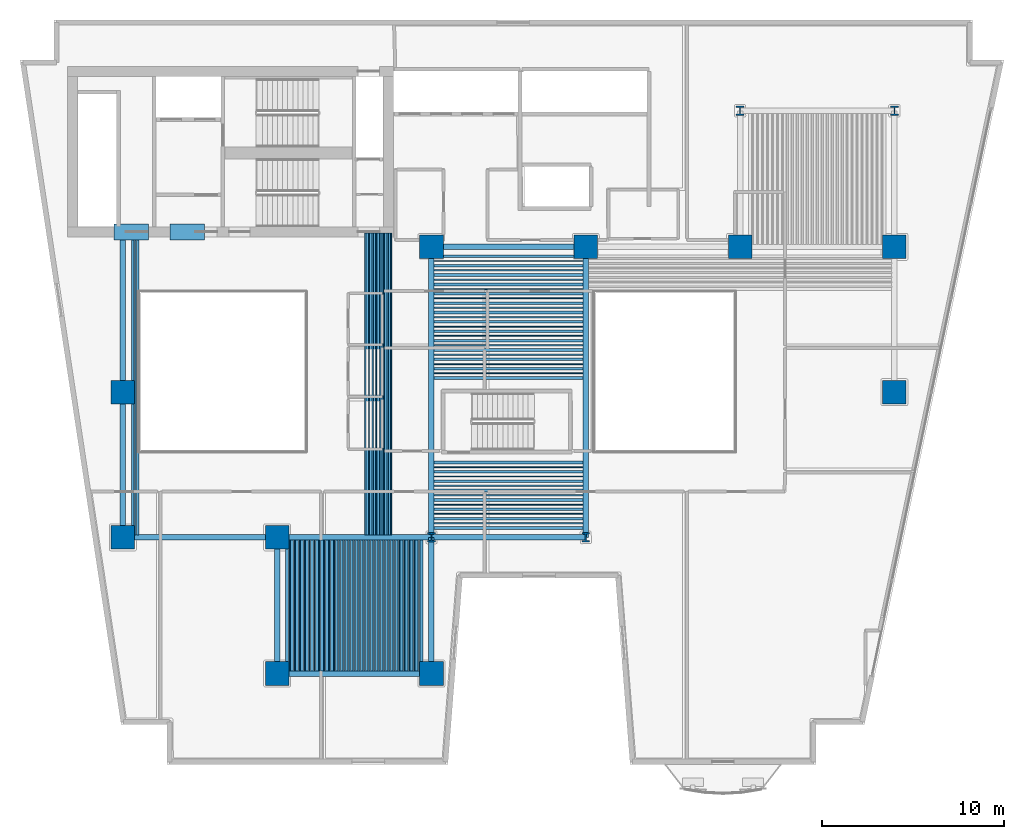
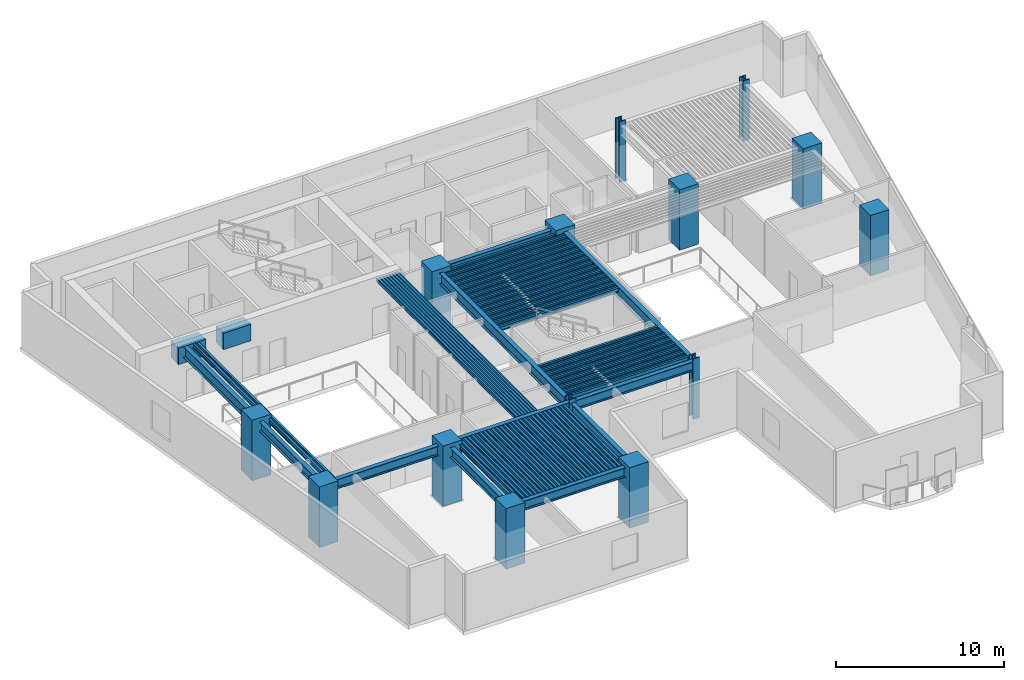
# One storey, part 1 of 12: 128 beams, 14 columns.
"""IFC4 building model written with IfcOpenShell, lengths in metres."""

from ifc_helpers import new_model, si_unit, direction, frame, origin, origin_2d, place, context, subcontext, project, spatial, rectangle, hollow_rectangle, i_section, extrude, material, material_profile, profile_set, type_object, element, save


model = new_model("IFC4")

# Units and contexts
model_context = context("Model", 3, precision=1e-05, world=origin(), true_north=direction((0.0, 1.0)))
body_context = subcontext(model_context, "Body", "Model", "MODEL_VIEW")
ifc_project = project(units=[si_unit("LENGTHUNIT", "METRE"), si_unit("AREAUNIT", "SQUARE_METRE"), si_unit("VOLUMEUNIT", "CUBIC_METRE"), si_unit("PLANEANGLEUNIT", "RADIAN"), si_unit("MASSUNIT", "GRAM", prefix="KILO")], contexts=[model_context])

# Site, building, storey
site_placement = place(None, origin())
site = spatial("IfcSite", under=ifc_project, at=site_placement, CompositionType="ELEMENT")
building_placement = place(site_placement, origin())
building = spatial("IfcBuilding", under=site, at=building_placement, Name="Caeloran Harvest Quay", CompositionType="ELEMENT")
storey_placement = place(building_placement, frame((0.0, 0.0, 88.60009765625)))
storey = spatial("IfcBuildingStorey", under=building, at=storey_placement, Name="L20", CompositionType="ELEMENT", Elevation=88.60009765625)

# Columns
ifc_material_1 = material(Name="Concrete C80/95", Category="concrete")
ifc_material_profile_1 = material_profile(ifc_material_1, rectangle(XDim=1.300048828125, YDim=1.300048828125, at=origin_2d()), Name="RC 1300x1300")
ifc_profile_set_1 = profile_set([ifc_material_profile_1], Name="Concrete C80/95")
column_type_1 = type_object("IfcColumnType", Name="COL-MC-2-RC_1300x1300", PredefinedType="COLUMN", material=ifc_profile_set_1)
for number, where, z_axis, x_axis, name in (
    (1, (8.5, 15.0, 0.0), (0.0, 0.0, 1.0), (1.0, 0.0, 0.0), "L20 Structural Column (8.5, 15.0)"),
    (2, (8.5, 23.0, 0.0), (0.0, 0.0, 1.0), (1.0, 0.0, 0.0), "L20 Structural Column (8.5, 23.0)"),
    (3, (17.0, 7.5, 0.0), (0.0, 0.0, 1.0), (1.0, 0.0, 0.0), "L20 Structural Column (17.0, 7.5)"),
    (4, (17.0, 15.0, 0.0), (0.0, 0.0, 1.0), (1.0, 0.0, 0.0), "L20 Structural Column (17.0, 15.0)"),
    (5, (25.5, 7.5, 0.0), (0.0, 0.0, 1.0), (1.0, 0.0, 0.0), "L20 Structural Column (25.5, 7.5)"),
    (6, (25.5, 31.0, 0.0), (0.0, 0.0, 1.0), (1.0, 0.0, 0.0), "L20 Structural Column (25.5, 31.0)"),
    (7, (34.0, 31.0, 0.0), (0.0, 0.0, 1.0), (1.0, 0.0, 0.0), "L20 Structural Column (34.0, 31.0)"),
    (8, (42.5, 31.0, 0.0), (0.0, 0.0, 1.0), (1.0, 0.0, 0.0), "L20 Structural Column (42.5, 31.0)"),
    (9, (51.0, 23.0, 0.0), (0.0, 0.0, 1.0), (1.0, 0.0, 0.0), "L20 Structural Column (51.0, 23.0)"),
    (10, (51.0, 31.0, 0.0), (0.0, 0.0, 1.0), (1.0, 0.0, 0.0), "L20 Structural Column (51.0, 31.0)"),
):
    element("IfcColumn", number, at=place(storey_placement, frame(where, z_axis=z_axis, x_axis=x_axis)), inside=storey, type_object=column_type_1, Name=name, PredefinedType="COLUMN", context=body_context, shape_type="SweptSolid", body=[
        extrude(rectangle(XDim=1.300048828125, YDim=1.300048828125, at=origin_2d()), origin(), (0.0, 0.0, 1.0), 4.39990234375),
    ])
ifc_material_2 = material(Name="Steel HISTAR 460", Category="steel")
ifc_material_profile_2 = material_profile(ifc_material_2, i_section(OverallWidth=0.43701171875, OverallDepth=0.513916015625, WebThickness=0.060546875, FlangeThickness=0.076904296875, FilletRadius=0.014892578125, at=origin_2d()), Name="HD 400x818")
ifc_profile_set_2 = profile_set([ifc_material_profile_2], Name="Steel HISTAR 460")
column_type_2 = type_object("IfcColumnType", Name="COL-SC-2-HD_400x818", PredefinedType="COLUMN", material=ifc_profile_set_2)
for number, where, z_axis, x_axis, name in (
    (11, (25.5, 15.0, 0.0), (0.0, 0.0, 1.0), (1.0, 0.0, 0.0), "L20 Structural Column (25.5, 15.0)"),
    (12, (34.0, 15.0, 0.0), (0.0, 0.0, 1.0), (1.0, 0.0, 0.0), "L20 Structural Column (34.0, 15.0)"),
    (13, (42.5, 38.5, 0.0), (0.0, 0.0, 1.0), (1.0, 0.0, 0.0), "L20 Structural Column (42.5, 38.5)"),
    (14, (51.0, 38.5, 0.0), (0.0, 0.0, 1.0), (1.0, 0.0, 0.0), "L20 Structural Column (51.0, 38.5)"),
):
    element("IfcColumn", number, at=place(storey_placement, frame(where, z_axis=z_axis, x_axis=x_axis)), inside=storey, type_object=column_type_2, Name=name, PredefinedType="COLUMN", context=body_context, shape_type="SweptSolid", body=[
        extrude(i_section(OverallWidth=0.43701171875, OverallDepth=0.513916015625, WebThickness=0.060546875, FlangeThickness=0.076904296875, FilletRadius=0.014892578125, at=origin_2d()), origin(), (0.0, 0.0, 1.0), 4.39990234375),
    ])

# Beams
ifc_material_profile_3 = material_profile(ifc_material_1, rectangle(XDim=0.89990234375, YDim=1.199951171875, at=origin_2d()), Name="RC 900x1200")
ifc_profile_set_3 = profile_set([ifc_material_profile_3], Name="Concrete C80/95")
beam_type_1 = type_object("IfcBeamType", Name="BM-CB-1-RC_900x1200", PredefinedType="LINTEL", material=ifc_profile_set_3)
for number, where, z_axis, x_axis, name in (
    (15, (8.0, 31.824951171875, 3.514892578125), (1.0, 0.0, 0.0), (0.0, 1.0, 0.0), "L20 Core Coupling Beam 1"),
    (16, (11.10009765625, 31.824951171875, 3.514892578125), (1.0, 0.0, 0.0), (0.0, 1.0, 0.0), "L20 Core Coupling Beam 2"),
):
    element("IfcBeam", number, at=place(storey_placement, frame(where, z_axis=z_axis, x_axis=x_axis)), inside=storey, type_object=beam_type_1, Name=name, PredefinedType="LINTEL", context=body_context, shape_type="SweptSolid", body=[
        extrude(rectangle(XDim=0.89990234375, YDim=1.199951171875, at=origin_2d()), origin(), (0.0, 0.0, 1.0), 1.89990234375),
    ])
ifc_material_3 = material(Name="Steel S355J2", Category="steel")
ifc_material_profile_4 = material_profile(ifc_material_3, i_section(OverallWidth=0.300048828125, OverallDepth=0.800048828125, WebThickness=0.017578125, FlangeThickness=0.032958984375, FilletRadius=0.030029296875, at=origin_2d()), Name="HE 800 B")
ifc_profile_set_4 = profile_set([ifc_material_profile_4], Name="Steel S355J2")
beam_type_2 = type_object("IfcBeamType", Name="BM-PG-1-HE_800_B", PredefinedType="BEAM", material=ifc_profile_set_4)
beam_1_placement = place(storey_placement, frame((8.5, 23.0, 3.71484375), z_axis=(0.0, 1.0, 0.0), x_axis=(-1.0, 0.0, 0.0)))
element("IfcBeam", 17, at=beam_1_placement, inside=storey, type_object=beam_type_2, Name="L20 Core South Tie Girder X=8.5", PredefinedType="BEAM", context=body_context, shape_type="SweptSolid", body=[
    extrude(i_section(OverallWidth=0.300048828125, OverallDepth=0.800048828125, WebThickness=0.017578125, FlangeThickness=0.032958984375, FilletRadius=0.030029296875, at=origin_2d()), origin(), (0.0, 0.0, 1.0), 8.77490234375),
])
for number, where, z_axis, x_axis, name in (
    (18, (25.5, 15.0, 3.71484375), (0.0, 1.0, 0.0), (-1.0, 0.0, 0.0), "L20 Primary North-South Girder X=25.5"),
    (19, (34.0, 15.0, 3.71484375), (0.0, 1.0, 0.0), (-1.0, 0.0, 0.0), "L20 Primary North-South Girder X=34.0"),
):
    element("IfcBeam", number, at=place(storey_placement, frame(where, z_axis=z_axis, x_axis=x_axis)), inside=storey, type_object=beam_type_2, Name=name, PredefinedType="BEAM", context=body_context, shape_type="SweptSolid", body=[
        extrude(i_section(OverallWidth=0.300048828125, OverallDepth=0.800048828125, WebThickness=0.017578125, FlangeThickness=0.032958984375, FilletRadius=0.030029296875, at=origin_2d()), origin(), (0.0, 0.0, 1.0), 16.0),
    ])
ifc_material_profile_5 = material_profile(ifc_material_3, i_section(OverallWidth=0.300048828125, OverallDepth=0.699951171875, WebThickness=0.01708984375, FlangeThickness=0.031982421875, FilletRadius=0.027099609375, at=origin_2d()), Name="HE 700 B")
ifc_profile_set_5 = profile_set([ifc_material_profile_5], Name="Steel S355J2")
beam_type_3 = type_object("IfcBeamType", Name="BM-PG-2-HE_700_B", PredefinedType="BEAM", material=ifc_profile_set_5)
for number, where, z_axis, x_axis, name in (
    (20, (17.0, 7.5, 3.764892578125), (1.0, 0.0, 0.0), (0.0, 1.0, 0.0), "L20 Primary East-West Girder Y=7.5"),
    (21, (8.5, 15.0, 3.764892578125), (1.0, 0.0, 0.0), (0.0, 1.0, 0.0), "L20 Primary East-West Girder Y=15.0"),
    (22, (17.0, 15.0, 3.764892578125), (1.0, 0.0, 0.0), (0.0, 1.0, 0.0), "L20 Primary East-West Girder Y=15.0"),
    (23, (25.5, 15.0, 3.764892578125), (1.0, 0.0, 0.0), (0.0, 1.0, 0.0), "L20 Primary East-West Girder Y=15.0"),
    (24, (25.5, 31.0, 3.764892578125), (1.0, 0.0, 0.0), (0.0, 1.0, 0.0), "L20 Primary East-West Girder Y=31.0"),
):
    element("IfcBeam", number, at=place(storey_placement, frame(where, z_axis=z_axis, x_axis=x_axis)), inside=storey, type_object=beam_type_3, Name=name, PredefinedType="BEAM", context=body_context, shape_type="SweptSolid", body=[
        extrude(i_section(OverallWidth=0.300048828125, OverallDepth=0.699951171875, WebThickness=0.01708984375, FlangeThickness=0.031982421875, FilletRadius=0.027099609375, at=origin_2d()), origin(), (0.0, 0.0, 1.0), 8.5),
    ])
beam_2_placement = place(storey_placement, frame((8.5, 15.0, 3.764892578125), z_axis=(0.0, 1.0, 0.0), x_axis=(-1.0, 0.0, 0.0)))
element("IfcBeam", 25, at=beam_2_placement, inside=storey, type_object=beam_type_3, Name="L20 Primary North-South Girder X=8.5", PredefinedType="BEAM", context=body_context, shape_type="SweptSolid", body=[
    extrude(i_section(OverallWidth=0.300048828125, OverallDepth=0.699951171875, WebThickness=0.01708984375, FlangeThickness=0.031982421875, FilletRadius=0.027099609375, at=origin_2d()), origin(), (0.0, 0.0, 1.0), 8.0),
])
for number, where, z_axis, x_axis, name in (
    (26, (17.0, 7.5, 3.764892578125), (0.0, 1.0, 0.0), (-1.0, 0.0, 0.0), "L20 Primary North-South Girder X=17.0"),
    (27, (25.5, 7.5, 3.764892578125), (0.0, 1.0, 0.0), (-1.0, 0.0, 0.0), "L20 Primary North-South Girder X=25.5"),
):
    element("IfcBeam", number, at=place(storey_placement, frame(where, z_axis=z_axis, x_axis=x_axis)), inside=storey, type_object=beam_type_3, Name=name, PredefinedType="BEAM", context=body_context, shape_type="SweptSolid", body=[
        extrude(i_section(OverallWidth=0.300048828125, OverallDepth=0.699951171875, WebThickness=0.01708984375, FlangeThickness=0.031982421875, FilletRadius=0.027099609375, at=origin_2d()), origin(), (0.0, 0.0, 1.0), 7.5),
    ])
ifc_material_profile_6 = material_profile(ifc_material_3, i_section(OverallWidth=0.14990234375, OverallDepth=0.300048828125, WebThickness=0.007080078125, FlangeThickness=0.0107421875, FilletRadius=0.014892578125, at=origin_2d()), Name="IPE 300")
ifc_profile_set_6 = profile_set([ifc_material_profile_6], Name="Steel S355J2")
beam_type_4 = type_object("IfcBeamType", Name="BM-SB-6-IPE_300", PredefinedType="JOIST", material=ifc_profile_set_6)
for number, where, z_axis, x_axis, name in (
    (28, (17.54833984375, 7.64501953125, 3.96484375), (0.0, 1.0, 0.0), (-1.0, 0.0, 0.0), "L20 Secondary Composite Joist"),
    (29, (17.822509765625, 7.64501953125, 3.96484375), (0.0, 1.0, 0.0), (-1.0, 0.0, 0.0), "L20 Secondary Composite Joist"),
    (30, (18.0966796875, 7.64501953125, 3.96484375), (0.0, 1.0, 0.0), (-1.0, 0.0, 0.0), "L20 Secondary Composite Joist"),
    (31, (18.37109375, 7.64501953125, 3.96484375), (0.0, 1.0, 0.0), (-1.0, 0.0, 0.0), "L20 Secondary Composite Joist"),
    (32, (18.645263671875, 7.64501953125, 3.96484375), (0.0, 1.0, 0.0), (-1.0, 0.0, 0.0), "L20 Secondary Composite Joist"),
    (33, (18.91943359375, 7.64501953125, 3.96484375), (0.0, 1.0, 0.0), (-1.0, 0.0, 0.0), "L20 Secondary Composite Joist"),
    (34, (19.193603515625, 7.64501953125, 3.96484375), (0.0, 1.0, 0.0), (-1.0, 0.0, 0.0), "L20 Secondary Composite Joist"),
    (35, (19.4677734375, 7.64501953125, 3.96484375), (0.0, 1.0, 0.0), (-1.0, 0.0, 0.0), "L20 Secondary Composite Joist"),
    (36, (19.741943359375, 7.64501953125, 3.96484375), (0.0, 1.0, 0.0), (-1.0, 0.0, 0.0), "L20 Secondary Composite Joist"),
    (37, (20.01611328125, 7.64501953125, 3.96484375), (0.0, 1.0, 0.0), (-1.0, 0.0, 0.0), "L20 Secondary Composite Joist"),
    (38, (20.290283203125, 7.64501953125, 3.96484375), (0.0, 1.0, 0.0), (-1.0, 0.0, 0.0), "L20 Secondary Composite Joist"),
    (39, (20.564453125, 7.64501953125, 3.96484375), (0.0, 1.0, 0.0), (-1.0, 0.0, 0.0), "L20 Secondary Composite Joist"),
    (40, (20.838623046875, 7.64501953125, 3.96484375), (0.0, 1.0, 0.0), (-1.0, 0.0, 0.0), "L20 Secondary Composite Joist"),
    (41, (21.11279296875, 7.64501953125, 3.96484375), (0.0, 1.0, 0.0), (-1.0, 0.0, 0.0), "L20 Secondary Composite Joist"),
    (42, (21.38720703125, 7.64501953125, 3.96484375), (0.0, 1.0, 0.0), (-1.0, 0.0, 0.0), "L20 Secondary Composite Joist"),
    (43, (21.661376953125, 7.64501953125, 3.96484375), (0.0, 1.0, 0.0), (-1.0, 0.0, 0.0), "L20 Secondary Composite Joist"),
    (44, (21.935546875, 7.64501953125, 3.96484375), (0.0, 1.0, 0.0), (-1.0, 0.0, 0.0), "L20 Secondary Composite Joist"),
    (45, (22.209716796875, 7.64501953125, 3.96484375), (0.0, 1.0, 0.0), (-1.0, 0.0, 0.0), "L20 Secondary Composite Joist"),
    (46, (22.48388671875, 7.64501953125, 3.96484375), (0.0, 1.0, 0.0), (-1.0, 0.0, 0.0), "L20 Secondary Composite Joist"),
    (47, (22.758056640625, 7.64501953125, 3.96484375), (0.0, 1.0, 0.0), (-1.0, 0.0, 0.0), "L20 Secondary Composite Joist"),
    (48, (23.0322265625, 7.64501953125, 3.96484375), (0.0, 1.0, 0.0), (-1.0, 0.0, 0.0), "L20 Secondary Composite Joist"),
    (49, (23.306396484375, 7.64501953125, 3.96484375), (0.0, 1.0, 0.0), (-1.0, 0.0, 0.0), "L20 Secondary Composite Joist"),
    (50, (23.58056640625, 7.64501953125, 3.96484375), (0.0, 1.0, 0.0), (-1.0, 0.0, 0.0), "L20 Secondary Composite Joist"),
    (51, (23.854736328125, 7.64501953125, 3.96484375), (0.0, 1.0, 0.0), (-1.0, 0.0, 0.0), "L20 Secondary Composite Joist"),
    (52, (24.12890625, 7.64501953125, 3.96484375), (0.0, 1.0, 0.0), (-1.0, 0.0, 0.0), "L20 Secondary Composite Joist"),
    (53, (24.4033203125, 7.64501953125, 3.96484375), (0.0, 1.0, 0.0), (-1.0, 0.0, 0.0), "L20 Secondary Composite Joist"),
    (54, (24.677490234375, 7.64501953125, 3.96484375), (0.0, 1.0, 0.0), (-1.0, 0.0, 0.0), "L20 Secondary Composite Joist"),
    (55, (24.95166015625, 7.64501953125, 3.96484375), (0.0, 1.0, 0.0), (-1.0, 0.0, 0.0), "L20 Secondary Composite Joist"),
):
    element("IfcBeam", number, at=place(storey_placement, frame(where, z_axis=z_axis, x_axis=x_axis)), inside=storey, type_object=beam_type_4, Name=name, PredefinedType="JOIST", context=body_context, shape_type="SweptSolid", body=[
        extrude(i_section(OverallWidth=0.14990234375, OverallDepth=0.300048828125, WebThickness=0.007080078125, FlangeThickness=0.0107421875, FilletRadius=0.014892578125, at=origin_2d()), origin(), (0.0, 0.0, 1.0), 7.2099609375),
    ])
for number, where, z_axis, x_axis, name in (
    (56, (9.04833984375, 15.14501953125, 3.96484375), (0.0, 1.0, 0.0), (-1.0, 0.0, 0.0), "L20 Secondary Composite Joist"),
    (57, (9.322509765625, 15.14501953125, 3.96484375), (0.0, 1.0, 0.0), (-1.0, 0.0, 0.0), "L20 Secondary Composite Joist"),
    (58, (21.954833984375, 15.14501953125, 3.96484375), (0.0, 1.0, 0.0), (-1.0, 0.0, 0.0), "L20 Secondary Composite Joist"),
    (59, (22.161376953125, 15.14501953125, 3.96484375), (0.0, 1.0, 0.0), (-1.0, 0.0, 0.0), "L20 Secondary Composite Joist"),
    (60, (22.36767578125, 15.14501953125, 3.96484375), (0.0, 1.0, 0.0), (-1.0, 0.0, 0.0), "L20 Secondary Composite Joist"),
    (61, (22.57421875, 15.14501953125, 3.96484375), (0.0, 1.0, 0.0), (-1.0, 0.0, 0.0), "L20 Secondary Composite Joist"),
    (62, (22.780517578125, 15.14501953125, 3.96484375), (0.0, 1.0, 0.0), (-1.0, 0.0, 0.0), "L20 Secondary Composite Joist"),
    (63, (22.987060546875, 15.14501953125, 3.96484375), (0.0, 1.0, 0.0), (-1.0, 0.0, 0.0), "L20 Secondary Composite Joist"),
    (64, (23.193603515625, 15.14501953125, 3.96484375), (0.0, 1.0, 0.0), (-1.0, 0.0, 0.0), "L20 Secondary Composite Joist"),
):
    element("IfcBeam", number, at=place(storey_placement, frame(where, z_axis=z_axis, x_axis=x_axis)), inside=storey, type_object=beam_type_4, Name=name, PredefinedType="JOIST", context=body_context, shape_type="SweptSolid", body=[
        extrude(i_section(OverallWidth=0.14990234375, OverallDepth=0.300048828125, WebThickness=0.007080078125, FlangeThickness=0.0107421875, FilletRadius=0.014892578125, at=origin_2d()), origin(), (0.0, 0.0, 1.0), 16.6298828125),
    ])
for number, where, z_axis, x_axis, name in (
    (65, (25.64501953125, 15.51611328125, 3.96484375), (1.0, 0.0, 0.0), (0.0, 1.0, 0.0), "L20 Secondary East-West Composite Joist"),
    (66, (25.64501953125, 16.0322265625, 3.96484375), (1.0, 0.0, 0.0), (0.0, 1.0, 0.0), "L20 Secondary East-West Composite Joist"),
    (67, (25.64501953125, 16.54833984375, 3.96484375), (1.0, 0.0, 0.0), (0.0, 1.0, 0.0), "L20 Secondary East-West Composite Joist"),
    (68, (25.64501953125, 17.064453125, 3.96484375), (1.0, 0.0, 0.0), (0.0, 1.0, 0.0), "L20 Secondary East-West Composite Joist"),
    (69, (25.64501953125, 17.58056640625, 3.96484375), (1.0, 0.0, 0.0), (0.0, 1.0, 0.0), "L20 Secondary East-West Composite Joist"),
    (70, (25.64501953125, 18.0966796875, 3.96484375), (1.0, 0.0, 0.0), (0.0, 1.0, 0.0), "L20 Secondary East-West Composite Joist"),
    (71, (25.64501953125, 18.61279296875, 3.96484375), (1.0, 0.0, 0.0), (0.0, 1.0, 0.0), "L20 Secondary East-West Composite Joist"),
    (72, (25.64501953125, 19.12890625, 3.96484375), (1.0, 0.0, 0.0), (0.0, 1.0, 0.0), "L20 Secondary East-West Composite Joist"),
    (73, (25.64501953125, 23.774169921875, 3.96484375), (1.0, 0.0, 0.0), (0.0, 1.0, 0.0), "L20 Secondary East-West Composite Joist"),
    (74, (25.64501953125, 24.290283203125, 3.96484375), (1.0, 0.0, 0.0), (0.0, 1.0, 0.0), "L20 Secondary East-West Composite Joist"),
    (75, (25.64501953125, 24.806396484375, 3.96484375), (1.0, 0.0, 0.0), (0.0, 1.0, 0.0), "L20 Secondary East-West Composite Joist"),
    (76, (25.64501953125, 25.322509765625, 3.96484375), (1.0, 0.0, 0.0), (0.0, 1.0, 0.0), "L20 Secondary East-West Composite Joist"),
    (77, (25.64501953125, 25.838623046875, 3.96484375), (1.0, 0.0, 0.0), (0.0, 1.0, 0.0), "L20 Secondary East-West Composite Joist"),
    (78, (25.64501953125, 26.354736328125, 3.96484375), (1.0, 0.0, 0.0), (0.0, 1.0, 0.0), "L20 Secondary East-West Composite Joist"),
    (79, (25.64501953125, 26.87109375, 3.96484375), (1.0, 0.0, 0.0), (0.0, 1.0, 0.0), "L20 Secondary East-West Composite Joist"),
    (80, (25.64501953125, 27.38720703125, 3.96484375), (1.0, 0.0, 0.0), (0.0, 1.0, 0.0), "L20 Secondary East-West Composite Joist"),
    (81, (25.64501953125, 27.9033203125, 3.96484375), (1.0, 0.0, 0.0), (0.0, 1.0, 0.0), "L20 Secondary East-West Composite Joist"),
    (82, (25.64501953125, 28.41943359375, 3.96484375), (1.0, 0.0, 0.0), (0.0, 1.0, 0.0), "L20 Secondary East-West Composite Joist"),
    (83, (25.64501953125, 28.935546875, 3.96484375), (1.0, 0.0, 0.0), (0.0, 1.0, 0.0), "L20 Secondary East-West Composite Joist"),
    (84, (25.64501953125, 29.45166015625, 3.96484375), (1.0, 0.0, 0.0), (0.0, 1.0, 0.0), "L20 Secondary East-West Composite Joist"),
    (85, (25.64501953125, 29.9677734375, 3.96484375), (1.0, 0.0, 0.0), (0.0, 1.0, 0.0), "L20 Secondary East-West Composite Joist"),
    (86, (25.64501953125, 30.48388671875, 3.96484375), (1.0, 0.0, 0.0), (0.0, 1.0, 0.0), "L20 Secondary East-West Composite Joist"),
):
    element("IfcBeam", number, at=place(storey_placement, frame(where, z_axis=z_axis, x_axis=x_axis)), inside=storey, type_object=beam_type_4, Name=name, PredefinedType="JOIST", context=body_context, shape_type="SweptSolid", body=[
        extrude(i_section(OverallWidth=0.14990234375, OverallDepth=0.300048828125, WebThickness=0.007080078125, FlangeThickness=0.0107421875, FilletRadius=0.014892578125, at=origin_2d()), origin(), (0.0, 0.0, 1.0), 8.2099609375),
    ])
ifc_material_profile_7 = material_profile(ifc_material_3, hollow_rectangle(XDim=0.080078125, YDim=0.199951171875, WallThickness=0.006103515625, InnerFilletRadius=0.006103515625, OuterFilletRadius=0.009033203125, at=origin_2d()), Name="RHS 200x80x6")
ifc_profile_set_7 = profile_set([ifc_material_profile_7], Name="Steel S355J2")
beam_type_5 = type_object("IfcBeamType", Name="BM-SB-7-RHS_200x80x6", PredefinedType="JOIST", material=ifc_profile_set_7)
for number, where, z_axis, x_axis, name in (
    (87, (17.685546875, 7.64501953125, 4.014892578125), (0.0, 1.0, 0.0), (-1.0, 0.0, 0.0), "L20 Secondary Composite Joist"),
    (88, (17.959716796875, 7.64501953125, 4.014892578125), (0.0, 1.0, 0.0), (-1.0, 0.0, 0.0), "L20 Secondary Composite Joist"),
    (89, (18.23388671875, 7.64501953125, 4.014892578125), (0.0, 1.0, 0.0), (-1.0, 0.0, 0.0), "L20 Secondary Composite Joist"),
    (90, (18.508056640625, 7.64501953125, 4.014892578125), (0.0, 1.0, 0.0), (-1.0, 0.0, 0.0), "L20 Secondary Composite Joist"),
    (91, (18.7822265625, 7.64501953125, 4.014892578125), (0.0, 1.0, 0.0), (-1.0, 0.0, 0.0), "L20 Secondary Composite Joist"),
    (92, (19.056396484375, 7.64501953125, 4.014892578125), (0.0, 1.0, 0.0), (-1.0, 0.0, 0.0), "L20 Secondary Composite Joist"),
    (93, (19.33056640625, 7.64501953125, 4.014892578125), (0.0, 1.0, 0.0), (-1.0, 0.0, 0.0), "L20 Secondary Composite Joist"),
    (94, (19.604736328125, 7.64501953125, 4.014892578125), (0.0, 1.0, 0.0), (-1.0, 0.0, 0.0), "L20 Secondary Composite Joist"),
    (95, (19.87890625, 7.64501953125, 4.014892578125), (0.0, 1.0, 0.0), (-1.0, 0.0, 0.0), "L20 Secondary Composite Joist"),
    (96, (20.1533203125, 7.64501953125, 4.014892578125), (0.0, 1.0, 0.0), (-1.0, 0.0, 0.0), "L20 Secondary Composite Joist"),
    (97, (20.427490234375, 7.64501953125, 4.014892578125), (0.0, 1.0, 0.0), (-1.0, 0.0, 0.0), "L20 Secondary Composite Joist"),
    (98, (20.70166015625, 7.64501953125, 4.014892578125), (0.0, 1.0, 0.0), (-1.0, 0.0, 0.0), "L20 Secondary Composite Joist"),
    (99, (20.975830078125, 7.64501953125, 4.014892578125), (0.0, 1.0, 0.0), (-1.0, 0.0, 0.0), "L20 Secondary Composite Joist"),
    (100, (21.25, 7.64501953125, 4.014892578125), (0.0, 1.0, 0.0), (-1.0, 0.0, 0.0), "L20 Secondary Composite Joist"),
    (101, (21.524169921875, 7.64501953125, 4.014892578125), (0.0, 1.0, 0.0), (-1.0, 0.0, 0.0), "L20 Secondary Composite Joist"),
    (102, (21.79833984375, 7.64501953125, 4.014892578125), (0.0, 1.0, 0.0), (-1.0, 0.0, 0.0), "L20 Secondary Composite Joist"),
    (103, (22.072509765625, 7.64501953125, 4.014892578125), (0.0, 1.0, 0.0), (-1.0, 0.0, 0.0), "L20 Secondary Composite Joist"),
    (104, (22.3466796875, 7.64501953125, 4.014892578125), (0.0, 1.0, 0.0), (-1.0, 0.0, 0.0), "L20 Secondary Composite Joist"),
    (105, (22.62109375, 7.64501953125, 4.014892578125), (0.0, 1.0, 0.0), (-1.0, 0.0, 0.0), "L20 Secondary Composite Joist"),
    (106, (22.895263671875, 7.64501953125, 4.014892578125), (0.0, 1.0, 0.0), (-1.0, 0.0, 0.0), "L20 Secondary Composite Joist"),
    (107, (23.16943359375, 7.64501953125, 4.014892578125), (0.0, 1.0, 0.0), (-1.0, 0.0, 0.0), "L20 Secondary Composite Joist"),
    (108, (23.443603515625, 7.64501953125, 4.014892578125), (0.0, 1.0, 0.0), (-1.0, 0.0, 0.0), "L20 Secondary Composite Joist"),
    (109, (23.7177734375, 7.64501953125, 4.014892578125), (0.0, 1.0, 0.0), (-1.0, 0.0, 0.0), "L20 Secondary Composite Joist"),
    (110, (23.991943359375, 7.64501953125, 4.014892578125), (0.0, 1.0, 0.0), (-1.0, 0.0, 0.0), "L20 Secondary Composite Joist"),
    (111, (24.26611328125, 7.64501953125, 4.014892578125), (0.0, 1.0, 0.0), (-1.0, 0.0, 0.0), "L20 Secondary Composite Joist"),
    (112, (24.540283203125, 7.64501953125, 4.014892578125), (0.0, 1.0, 0.0), (-1.0, 0.0, 0.0), "L20 Secondary Composite Joist"),
    (113, (24.814453125, 7.64501953125, 4.014892578125), (0.0, 1.0, 0.0), (-1.0, 0.0, 0.0), "L20 Secondary Composite Joist"),
):
    element("IfcBeam", number, at=place(storey_placement, frame(where, z_axis=z_axis, x_axis=x_axis)), inside=storey, type_object=beam_type_5, Name=name, PredefinedType="JOIST", context=body_context, shape_type="SweptSolid", body=[
        extrude(hollow_rectangle(XDim=0.080078125, YDim=0.199951171875, WallThickness=0.006103515625, InnerFilletRadius=0.006103515625, OuterFilletRadius=0.009033203125, at=origin_2d()), origin(), (0.0, 0.0, 1.0), 7.2099609375),
    ])
for number, where, z_axis, x_axis, name in (
    (114, (9.185546875, 15.14501953125, 4.014892578125), (0.0, 1.0, 0.0), (-1.0, 0.0, 0.0), "L20 Secondary Composite Joist"),
    (115, (21.8515625, 15.14501953125, 4.014892578125), (0.0, 1.0, 0.0), (-1.0, 0.0, 0.0), "L20 Secondary Composite Joist"),
    (116, (22.05810546875, 15.14501953125, 4.014892578125), (0.0, 1.0, 0.0), (-1.0, 0.0, 0.0), "L20 Secondary Composite Joist"),
    (117, (22.264404296875, 15.14501953125, 4.014892578125), (0.0, 1.0, 0.0), (-1.0, 0.0, 0.0), "L20 Secondary Composite Joist"),
    (118, (22.470947265625, 15.14501953125, 4.014892578125), (0.0, 1.0, 0.0), (-1.0, 0.0, 0.0), "L20 Secondary Composite Joist"),
    (119, (22.677490234375, 15.14501953125, 4.014892578125), (0.0, 1.0, 0.0), (-1.0, 0.0, 0.0), "L20 Secondary Composite Joist"),
    (120, (22.8837890625, 15.14501953125, 4.014892578125), (0.0, 1.0, 0.0), (-1.0, 0.0, 0.0), "L20 Secondary Composite Joist"),
    (121, (23.09033203125, 15.14501953125, 4.014892578125), (0.0, 1.0, 0.0), (-1.0, 0.0, 0.0), "L20 Secondary Composite Joist"),
    (122, (23.296875, 15.14501953125, 4.014892578125), (0.0, 1.0, 0.0), (-1.0, 0.0, 0.0), "L20 Secondary Composite Joist"),
):
    element("IfcBeam", number, at=place(storey_placement, frame(where, z_axis=z_axis, x_axis=x_axis)), inside=storey, type_object=beam_type_5, Name=name, PredefinedType="JOIST", context=body_context, shape_type="SweptSolid", body=[
        extrude(hollow_rectangle(XDim=0.080078125, YDim=0.199951171875, WallThickness=0.006103515625, InnerFilletRadius=0.006103515625, OuterFilletRadius=0.009033203125, at=origin_2d()), origin(), (0.0, 0.0, 1.0), 16.6298828125),
    ])
for number, where, z_axis, x_axis, name in (
    (123, (25.64501953125, 15.774169921875, 4.014892578125), (1.0, 0.0, 0.0), (0.0, 1.0, 0.0), "L20 Secondary East-West Composite Joist"),
    (124, (25.64501953125, 16.290283203125, 4.014892578125), (1.0, 0.0, 0.0), (0.0, 1.0, 0.0), "L20 Secondary East-West Composite Joist"),
    (125, (25.64501953125, 16.806396484375, 4.014892578125), (1.0, 0.0, 0.0), (0.0, 1.0, 0.0), "L20 Secondary East-West Composite Joist"),
    (126, (25.64501953125, 17.322509765625, 4.014892578125), (1.0, 0.0, 0.0), (0.0, 1.0, 0.0), "L20 Secondary East-West Composite Joist"),
    (127, (25.64501953125, 17.838623046875, 4.014892578125), (1.0, 0.0, 0.0), (0.0, 1.0, 0.0), "L20 Secondary East-West Composite Joist"),
    (128, (25.64501953125, 18.354736328125, 4.014892578125), (1.0, 0.0, 0.0), (0.0, 1.0, 0.0), "L20 Secondary East-West Composite Joist"),
    (129, (25.64501953125, 18.87109375, 4.014892578125), (1.0, 0.0, 0.0), (0.0, 1.0, 0.0), "L20 Secondary East-West Composite Joist"),
    (130, (25.64501953125, 24.0322265625, 4.014892578125), (1.0, 0.0, 0.0), (0.0, 1.0, 0.0), "L20 Secondary East-West Composite Joist"),
    (131, (25.64501953125, 24.54833984375, 4.014892578125), (1.0, 0.0, 0.0), (0.0, 1.0, 0.0), "L20 Secondary East-West Composite Joist"),
    (132, (25.64501953125, 25.064453125, 4.014892578125), (1.0, 0.0, 0.0), (0.0, 1.0, 0.0), "L20 Secondary East-West Composite Joist"),
    (133, (25.64501953125, 25.58056640625, 4.014892578125), (1.0, 0.0, 0.0), (0.0, 1.0, 0.0), "L20 Secondary East-West Composite Joist"),
    (134, (25.64501953125, 26.0966796875, 4.014892578125), (1.0, 0.0, 0.0), (0.0, 1.0, 0.0), "L20 Secondary East-West Composite Joist"),
    (135, (25.64501953125, 26.61279296875, 4.014892578125), (1.0, 0.0, 0.0), (0.0, 1.0, 0.0), "L20 Secondary East-West Composite Joist"),
    (136, (25.64501953125, 27.12890625, 4.014892578125), (1.0, 0.0, 0.0), (0.0, 1.0, 0.0), "L20 Secondary East-West Composite Joist"),
    (137, (25.64501953125, 27.645263671875, 4.014892578125), (1.0, 0.0, 0.0), (0.0, 1.0, 0.0), "L20 Secondary East-West Composite Joist"),
    (138, (25.64501953125, 28.161376953125, 4.014892578125), (1.0, 0.0, 0.0), (0.0, 1.0, 0.0), "L20 Secondary East-West Composite Joist"),
    (139, (25.64501953125, 28.677490234375, 4.014892578125), (1.0, 0.0, 0.0), (0.0, 1.0, 0.0), "L20 Secondary East-West Composite Joist"),
    (140, (25.64501953125, 29.193603515625, 4.014892578125), (1.0, 0.0, 0.0), (0.0, 1.0, 0.0), "L20 Secondary East-West Composite Joist"),
    (141, (25.64501953125, 29.709716796875, 4.014892578125), (1.0, 0.0, 0.0), (0.0, 1.0, 0.0), "L20 Secondary East-West Composite Joist"),
    (142, (25.64501953125, 30.225830078125, 4.014892578125), (1.0, 0.0, 0.0), (0.0, 1.0, 0.0), "L20 Secondary East-West Composite Joist"),
):
    element("IfcBeam", number, at=place(storey_placement, frame(where, z_axis=z_axis, x_axis=x_axis)), inside=storey, type_object=beam_type_5, Name=name, PredefinedType="JOIST", context=body_context, shape_type="SweptSolid", body=[
        extrude(hollow_rectangle(XDim=0.080078125, YDim=0.199951171875, WallThickness=0.006103515625, InnerFilletRadius=0.006103515625, OuterFilletRadius=0.009033203125, at=origin_2d()), origin(), (0.0, 0.0, 1.0), 8.2099609375),
    ])

save(model, "model.ifc")
